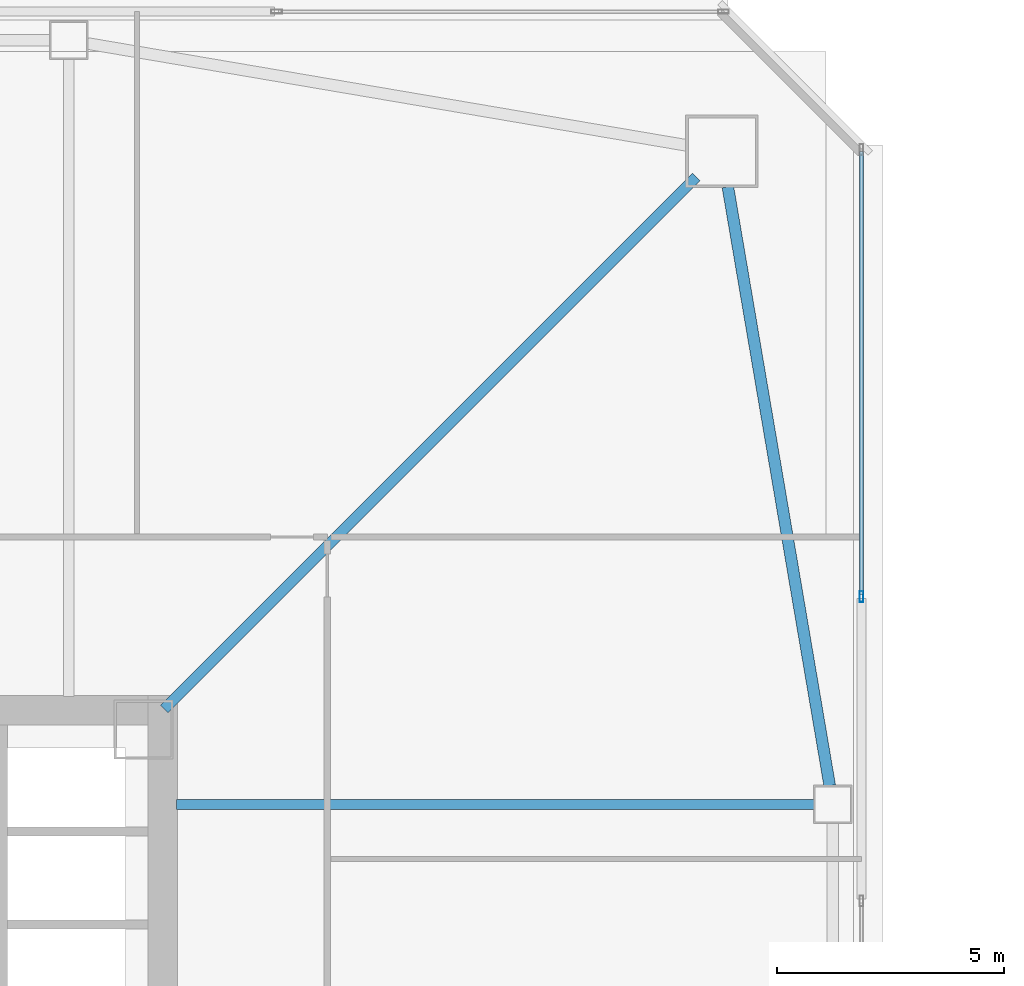
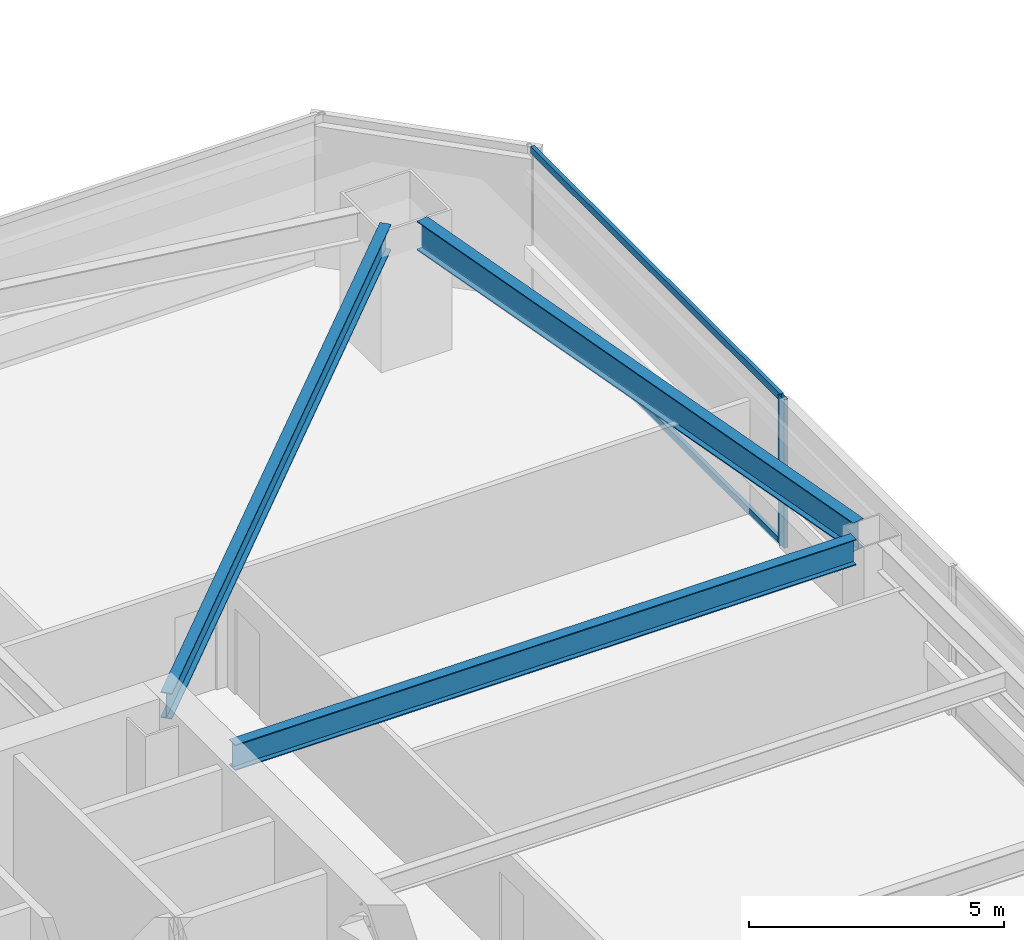
# One storey, part 15 of 46: 3 beams, 3 members, 1 element without a shape of its own.
"""IFC4 building model written with IfcOpenShell, lengths in metres."""

from ifc_helpers import new_model, si_unit, direction, frame, origin, origin_2d, place, context, subcontext, project, spatial, hollow_rectangle, i_section, extrude, material, material_profile, profile_set, type_object, element, aggregate, save


model = new_model("IFC4")

# Units and contexts
model_context = context("Model", 3, precision=1e-05, world=origin(), true_north=direction((0.0, 1.0)))
body_context = subcontext(model_context, "Body", "Model", "MODEL_VIEW")
ifc_project = project(units=[si_unit("LENGTHUNIT", "METRE"), si_unit("AREAUNIT", "SQUARE_METRE"), si_unit("VOLUMEUNIT", "CUBIC_METRE"), si_unit("PLANEANGLEUNIT", "RADIAN"), si_unit("MASSUNIT", "GRAM", prefix="KILO")], contexts=[model_context])

# Site, building, storey
site_placement = place(None, origin())
site = spatial("IfcSite", under=ifc_project, at=site_placement, CompositionType="ELEMENT")
building_placement = place(site_placement, origin())
building = spatial("IfcBuilding", under=site, at=building_placement, Name="Tashvorn Skyway Center", CompositionType="ELEMENT")
storey_placement = place(building_placement, frame((0.0, 0.0, 38.800048828125)))
storey = spatial("IfcBuildingStorey", under=building, at=storey_placement, Name="L09", CompositionType="ELEMENT", Elevation=38.800048828125)

# Beams
ifc_material_1 = material(Name="Steel ASTM A992 Grade 50", Category="steel")
ifc_material_profile_1 = material_profile(ifc_material_1, i_section(OverallWidth=0.22998046875, OverallDepth=0.616943359375, WebThickness=0.01318359375, FlangeThickness=0.022216796875, at=origin_2d()), Name="W24X94")
ifc_profile_set_1 = profile_set([ifc_material_profile_1], Name="Steel ASTM A992 Grade 50")
beam_type_1 = type_object("IfcBeamType", Name="BM-BEAM-W24X94", PredefinedType="BEAM", material=ifc_profile_set_1)
beam_1_placement = place(storey_placement, frame((61.23779296875, 51.23779296875, 3.04150390625), z_axis=(-0.707106781187, -0.707106781187, 0.0), x_axis=(0.707106781187, -0.707106781187, 0.0)))
element("IfcBeam", 1, at=beam_1_placement, inside=storey, type_object=beam_type_1, Name="Tower 1 L09 Primary Floor Girder MC-NE", PredefinedType="BEAM", context=body_context, shape_type="SweptSolid", body=[
    extrude(i_section(OverallWidth=0.22998046875, OverallDepth=0.616943359375, WebThickness=0.01318359375, FlangeThickness=0.022216796875, at=origin_2d()), origin(), (0.0, 0.0, 1.0), 16.591064453125),
])
beam_2_placement = place(storey_placement, frame((63.830078125, 37.39990234375, 3.04150390625), z_axis=(-1.0, 0.0, 0.0), x_axis=(0.0, -1.0, 0.0)))
element("IfcBeam", 2, at=beam_2_placement, inside=storey, type_object=beam_type_1, Name="Tower 1 L09 Primary Floor Girder FC-E2", PredefinedType="BEAM", context=body_context, shape_type="SweptSolid", body=[
    extrude(i_section(OverallWidth=0.22998046875, OverallDepth=0.616943359375, WebThickness=0.01318359375, FlangeThickness=0.022216796875, at=origin_2d()), origin(), (0.0, 0.0, 1.0), 14.050048828125),
])
ifc_material_profile_2 = material_profile(ifc_material_1, i_section(OverallWidth=0.256103515625, OverallDepth=0.693115234375, WebThickness=0.014404296875, FlangeThickness=0.023681640625, at=origin_2d()), Name="W27X114")
ifc_profile_set_2 = profile_set([ifc_material_profile_2], Name="Steel ASTM A992 Grade 50")
beam_type_2 = type_object("IfcBeamType", Name="BM-SPANDREL-W27X114", PredefinedType="SPANDREL", material=ifc_profile_set_2)
beam_3_placement = place(storey_placement, frame((64.179443359375, 37.81396484375, 3.00341796875), z_axis=(-0.16771792509, 0.985835025551, 0.0), x_axis=(-0.985835025551, -0.16771792509, 0.0)))
element("IfcBeam", 3, at=beam_3_placement, inside=storey, type_object=beam_type_2, Name="Tower 1 L09 Spandrel Beam 06", PredefinedType="SPANDREL", context=body_context, shape_type="SweptSolid", body=[
    extrude(i_section(OverallWidth=0.256103515625, OverallDepth=0.693115234375, WebThickness=0.014404296875, FlangeThickness=0.023681640625, at=origin_2d()), origin(), (0.0, 0.0, 1.0), 13.39208984375),
])

# Curtain wall, members
ifc_material_2 = material(Name="Thermally broken bronze-anodized aluminium 6063-T6", Category="aluminium")
curtain_wall_type = type_object("IfcCurtainWallType", Name="CW-CW-Z1", PredefinedType="NOTDEFINED", material=ifc_material_2)
curtain_wall_placement = place(storey_placement, origin())
curtain_wall = element("IfcCurtainWall", 4, at=curtain_wall_placement, inside=storey, type_object=curtain_wall_type, Name="Tower 1 L09 East Unitised Curtain Wall Glazing Group 1", PredefinedType="NOTDEFINED")
ifc_material_profile_3 = material_profile(ifc_material_2, hollow_rectangle(XDim=0.0849609375, YDim=0.239990234375, WallThickness=0.0048828125, at=origin_2d()), Name="ALU-MULL-85x240")
ifc_profile_set_3 = profile_set([ifc_material_profile_3], Name="Thermally broken bronze-anodized aluminium 6063-T6")
member_type_1 = type_object("IfcMemberType", Name="CWM-CW-Z1", PredefinedType="MULLION", material=ifc_profile_set_3)
member_1_placement = place(storey_placement, frame((64.8798828125, 41.982421875, 0.0), z_axis=(0.0, 0.0, 1.0), x_axis=(1.0, 0.0, 0.0)))
member_1 = element("IfcMember", 5, at=member_1_placement, type_object=member_type_1, Name="CW-Z1 mullion 2", PredefinedType="MULLION", context=body_context, shape_type="SweptSolid", body=[
    extrude(hollow_rectangle(XDim=0.0849609375, YDim=0.239990234375, WallThickness=0.0048828125, at=origin_2d()), origin(), (0.0, 0.0, 1.0), 3.550048828125),
])
ifc_material_profile_4 = material_profile(ifc_material_2, hollow_rectangle(XDim=0.0849609375, YDim=0.1650390625, WallThickness=0.0048828125, at=origin_2d()), Name="ALU-TRAN-85x165")
ifc_profile_set_4 = profile_set([ifc_material_profile_4], Name="Thermally broken bronze-anodized aluminium 6063-T6")
member_type_2 = type_object("IfcMemberType", Name="CWT-CW-Z1", PredefinedType="USERDEFINED", material=ifc_profile_set_4)
member_2_placement = place(storey_placement, frame((64.8798828125, 51.794921875, 0.04248046875), z_axis=(0.0, -1.0, 0.0), x_axis=(1.0, 0.0, 0.0)))
member_2 = element("IfcMember", 6, at=member_2_placement, type_object=member_type_2, Name="CW-Z1 transom 1.1", ObjectType="TRANSOM", PredefinedType="USERDEFINED", context=body_context, shape_type="SweptSolid", body=[
    extrude(hollow_rectangle(XDim=0.0849609375, YDim=0.1650390625, WallThickness=0.0048828125, at=origin_2d()), origin(), (0.0, 0.0, 1.0), 9.77001953125),
])
member_3_placement = place(storey_placement, frame((64.8798828125, 51.794921875, 3.507568359375), z_axis=(0.0, -1.0, 0.0), x_axis=(1.0, 0.0, 0.0)))
member_3 = element("IfcMember", 7, at=member_3_placement, type_object=member_type_2, Name="CW-Z1 transom 1.2", ObjectType="TRANSOM", PredefinedType="USERDEFINED", context=body_context, shape_type="SweptSolid", body=[
    extrude(hollow_rectangle(XDim=0.0849609375, YDim=0.1650390625, WallThickness=0.0048828125, at=origin_2d()), origin(), (0.0, 0.0, 1.0), 9.77001953125),
])
aggregate(curtain_wall, [member_1, member_2, member_3])

save(model, "model.ifc")
